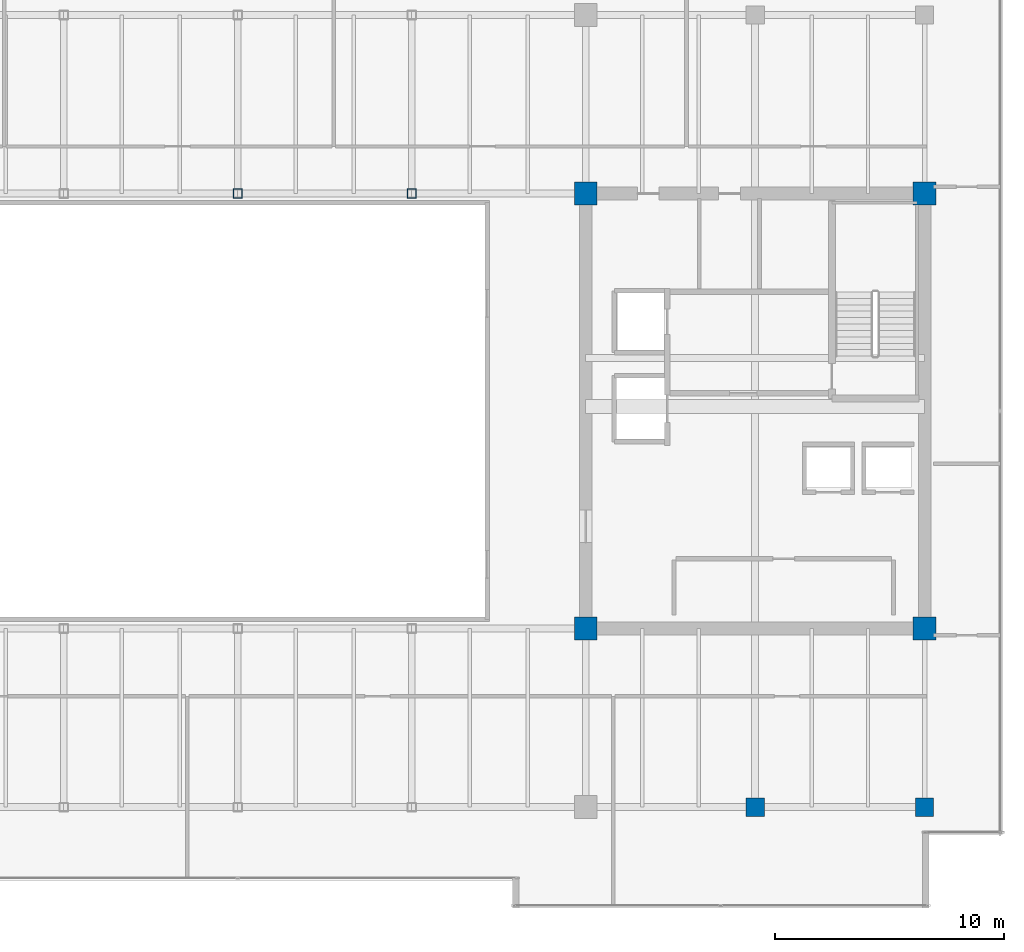
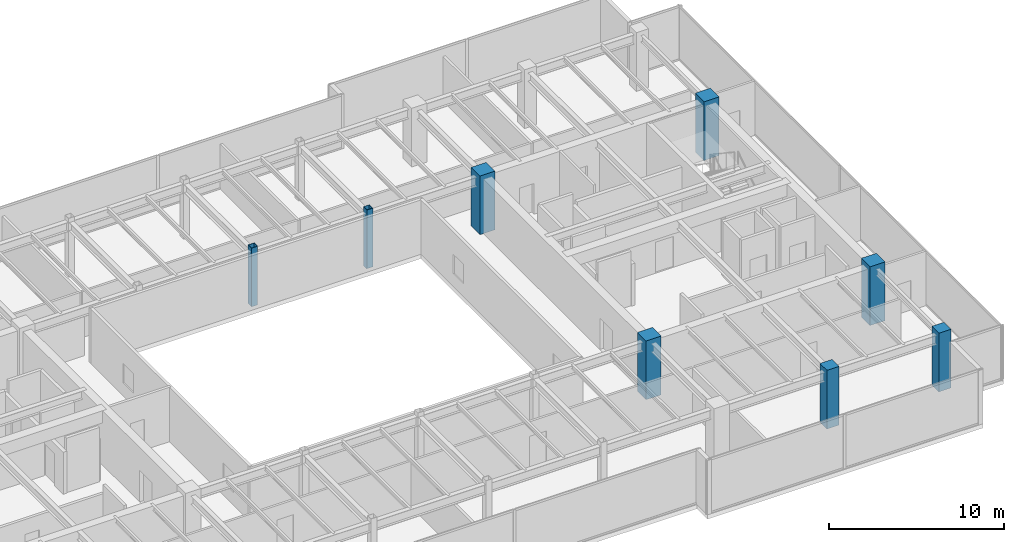
# One storey, part 2 of 33: 8 columns.
"""IFC4 building model written with IfcOpenShell, lengths in metres."""

from ifc_helpers import new_model, si_unit, direction, frame, origin, origin_2d, place, context, subcontext, project, spatial, rectangle, hollow_rectangle, extrude, source, transform, mapped, material, material_profile, profile_set, type_object, type_shapes, element, save


model = new_model("IFC4")

# Units and contexts
model_context = context("Model", 3, precision=1e-05, world=origin(), true_north=direction((0.0, 1.0)))
body_context = subcontext(model_context, "Body", "Model", "MODEL_VIEW")
ifc_project = project(units=[si_unit("LENGTHUNIT", "METRE"), si_unit("AREAUNIT", "SQUARE_METRE"), si_unit("VOLUMEUNIT", "CUBIC_METRE"), si_unit("PLANEANGLEUNIT", "RADIAN"), si_unit("MASSUNIT", "GRAM", prefix="KILO")], contexts=[model_context])

# Site, building, storey
site_placement = place(None, origin())
site = spatial("IfcSite", under=ifc_project, at=site_placement, CompositionType="ELEMENT")
building_placement = place(site_placement, origin())
building = spatial("IfcBuilding", under=site, at=building_placement, Name="Haelvirn Gate Laboratories", CompositionType="ELEMENT")
storey_placement = place(building_placement, frame((0.0, 0.0, 213.699951171875)))
storey = spatial("IfcBuildingStorey", under=building, at=storey_placement, Name="L51", CompositionType="ELEMENT", Elevation=213.699951171875)

# Columns
ifc_material_1 = material(Name="Concrete C60/75", Category="concrete")
ifc_material_profile_1 = material_profile(ifc_material_1, rectangle(XDim=1.0, YDim=1.0, at=origin_2d()), Name="RC-1000x1000")
ifc_profile_set_1 = profile_set([ifc_material_profile_1], Name="Concrete C60/75")
column_type_1 = type_object("IfcColumnType", Name="COL-RC-1000", PredefinedType="COLUMN", material=ifc_profile_set_1)
shared_shape_1 = source(origin(), body_context, "Body", "SweptSolid", [
    extrude(rectangle(XDim=1.0, YDim=1.0, at=origin_2d()), origin(), (0.0, 0.0, 1.0), 4.10009765625),
])
type_shapes(column_type_1, [shared_shape_1])
for number, where, z_axis, x_axis, name in (
    (1, (52.60009765625, 14.800048828125, 0.0), (0.0, 0.0, 1.0), (1.0, 0.0, 0.0), "L51 Column 8C"),
    (2, (67.39990234375, 14.800048828125, 0.0), (0.0, 0.0, 1.0), (1.0, 0.0, 0.0), "L51 Column 10C"),
    (3, (52.60009765625, 33.800048828125, 0.0), (0.0, 0.0, 1.0), (1.0, 0.0, 0.0), "L51 Column 8F"),
    (4, (67.39990234375, 33.800048828125, 0.0), (0.0, 0.0, 1.0), (1.0, 0.0, 0.0), "L51 Column 10F"),
):
    element("IfcColumn", number, at=place(storey_placement, frame(where, z_axis=z_axis, x_axis=x_axis)), inside=storey, type_object=column_type_1, Name=name, PredefinedType="COLUMN", context=body_context, shape_type="MappedRepresentation", body=[
        mapped(shared_shape_1, transform((0.0, 0.0, 0.0), scale=1.0)),
    ])
ifc_material_2 = material(Name="Concrete C50/60", Category="concrete")
ifc_material_profile_2 = material_profile(ifc_material_2, rectangle(XDim=0.800048828125, YDim=0.800048828125, at=origin_2d()), Name="RC-800x800")
ifc_profile_set_2 = profile_set([ifc_material_profile_2], Name="Concrete C50/60")
column_type_2 = type_object("IfcColumnType", Name="COL-RC-800", PredefinedType="COLUMN", material=ifc_profile_set_2)
shared_shape_2 = source(origin(), body_context, "Body", "SweptSolid", [
    extrude(rectangle(XDim=0.800048828125, YDim=0.800048828125, at=origin_2d()), origin(), (0.0, 0.0, 1.0), 4.10009765625),
])
type_shapes(column_type_2, [shared_shape_2])
for number, where, z_axis, x_axis, name in (
    (5, (60.0, 7.0, 0.0), (0.0, 0.0, 1.0), (1.0, 0.0, 0.0), "L51 Column 9B"),
    (6, (67.39990234375, 7.0, 0.0), (0.0, 0.0, 1.0), (1.0, 0.0, 0.0), "L51 Column 10B"),
):
    element("IfcColumn", number, at=place(storey_placement, frame(where, z_axis=z_axis, x_axis=x_axis)), inside=storey, type_object=column_type_2, Name=name, PredefinedType="COLUMN", context=body_context, shape_type="MappedRepresentation", body=[
        mapped(shared_shape_2, transform((0.0, 0.0, 0.0), scale=1.0)),
    ])
ifc_material_3 = material(Name="Steel SM355", Category="steel")
ifc_material_profile_3 = material_profile(ifc_material_3, hollow_rectangle(XDim=0.39990234375, YDim=0.39990234375, WallThickness=0.01904296875, at=origin_2d()), Name="BOX-400x400x19")
ifc_profile_set_3 = profile_set([ifc_material_profile_3], Name="Steel SM355")
column_type_3 = type_object("IfcColumnType", Name="COL-BOX-400", PredefinedType="COLUMN", material=ifc_profile_set_3)
shared_shape_3 = source(origin(), body_context, "Body", "SweptSolid", [
    extrude(hollow_rectangle(XDim=0.39990234375, YDim=0.39990234375, WallThickness=0.01904296875, at=origin_2d()), origin(), (0.0, 0.0, 1.0), 4.10009765625),
])
type_shapes(column_type_3, [shared_shape_3])
for number, where, z_axis, x_axis, name in (
    (7, (37.39990234375, 33.800048828125, 0.0), (0.0, 0.0, 1.0), (1.0, 0.0, 0.0), "L51 Column 6F"),
    (8, (45.0, 33.800048828125, 0.0), (0.0, 0.0, 1.0), (1.0, 0.0, 0.0), "L51 Column 7F"),
):
    element("IfcColumn", number, at=place(storey_placement, frame(where, z_axis=z_axis, x_axis=x_axis)), inside=storey, type_object=column_type_3, Name=name, PredefinedType="COLUMN", context=body_context, shape_type="MappedRepresentation", body=[
        mapped(shared_shape_3, transform((0.0, 0.0, 0.0), scale=1.0)),
    ])

save(model, "model.ifc")
